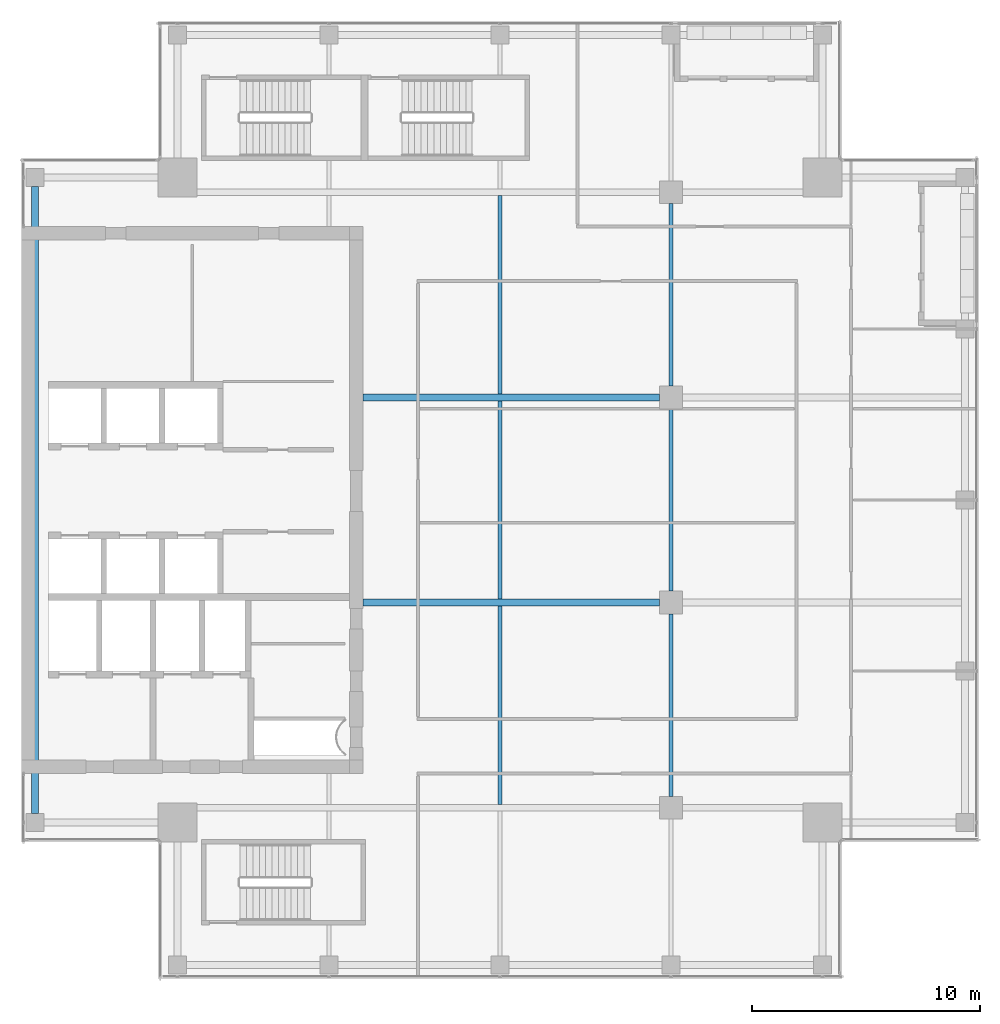
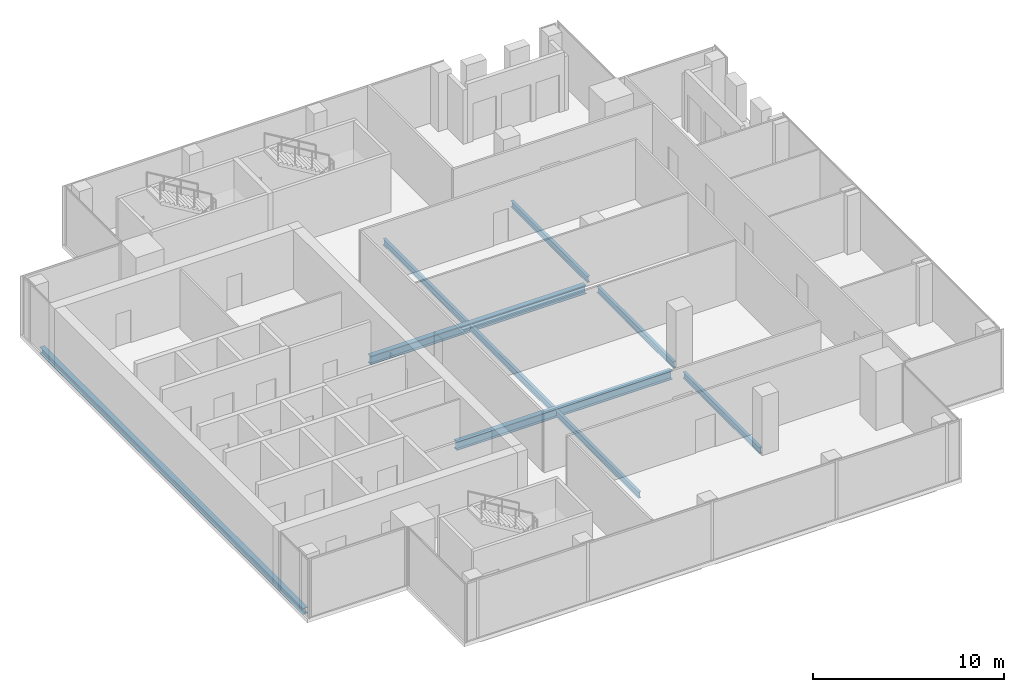
# One storey, part 8 of 29: 9 beams.
"""IFC4 building model written with IfcOpenShell, lengths in metres."""

from ifc_helpers import new_model, si_unit, direction, frame, origin, origin_2d, place, context, subcontext, project, spatial, i_section, extrude, source, transform, mapped, material, material_profile, profile_set, type_object, element, save


model = new_model("IFC4")

# Units and contexts
model_context = context("Model", 3, precision=1e-05, world=origin(), true_north=direction((0.0, 1.0)))
body_context = subcontext(model_context, "Body", "Model", "MODEL_VIEW")
ifc_project = project(units=[si_unit("LENGTHUNIT", "METRE"), si_unit("AREAUNIT", "SQUARE_METRE"), si_unit("VOLUMEUNIT", "CUBIC_METRE"), si_unit("PLANEANGLEUNIT", "RADIAN"), si_unit("MASSUNIT", "GRAM", prefix="KILO")], contexts=[model_context])

# Site, building, storey
site_placement = place(None, origin())
site = spatial("IfcSite", under=ifc_project, at=site_placement, CompositionType="ELEMENT")
building_placement = place(site_placement, origin())
building = spatial("IfcBuilding", under=site, at=building_placement, Name="Khomas Fold Tower", CompositionType="ELEMENT")
storey_placement = place(building_placement, frame((0.0, 0.0, 310.199951171875)))
storey = spatial("IfcBuildingStorey", under=building, at=storey_placement, Name="L70", CompositionType="ELEMENT", Elevation=310.199951171875)

# Beams
ifc_material_1 = material(Name="Steel S355", Category="steel")
ifc_material_profile_1 = material_profile(ifc_material_1, i_section(OverallWidth=0.179931640625, OverallDepth=0.39990234375, WebThickness=0.008544921875, FlangeThickness=0.013427734375, at=origin_2d()), Name="IPE 400")
ifc_profile_set_1 = profile_set([ifc_material_profile_1], Name="Steel S355")
beam_type_1 = type_object("IfcBeamType", Name="IPE 400 beam JB3", PredefinedType="BEAM", material=ifc_profile_set_1)
shared_shape_1 = source(origin(), body_context, "Body", "SweptSolid", [
    extrude(i_section(OverallWidth=0.179931640625, OverallDepth=0.39990234375, WebThickness=0.008544921875, FlangeThickness=0.013427734375, at=origin_2d()), origin(), (0.0, 0.0, 1.0), 8.7001953125),
])
for number, where, z_axis, x_axis, name in (
    (1, (27.0, 13.64990234375, -0.449951171875), (0.0, 1.0, 0.0), (-1.0, 0.0, 0.0), "JB3"),
    (2, (27.0, 22.64990234375, -0.449951171875), (0.0, 1.0, 0.0), (-1.0, 0.0, 0.0), "JB3"),
    (3, (27.0, 31.64990234375, -0.449951171875), (0.0, 1.0, 0.0), (-1.0, 0.0, 0.0), "JB3"),
):
    element("IfcBeam", number, at=place(storey_placement, frame(where, z_axis=z_axis, x_axis=x_axis)), inside=storey, type_object=beam_type_1, Name=name, PredefinedType="BEAM", context=body_context, shape_type="MappedRepresentation", body=[
        mapped(shared_shape_1, transform((0.0, 0.0, 0.0))),
    ])
ifc_material_2 = material(Name="Steel S355", Category="steel")
ifc_material_profile_2 = material_profile(ifc_material_2, i_section(OverallWidth=0.300048828125, OverallDepth=0.39990234375, WebThickness=0.013427734375, FlangeThickness=0.02392578125, at=origin_2d()), Name="HE 400 B")
ifc_profile_set_2 = profile_set([ifc_material_profile_2], Name="Steel S355")
beam_type_2 = type_object("IfcBeamType", Name="HE 400 B spandrel SB5", PredefinedType="SPANDREL", material=ifc_profile_set_2)
shared_shape_2 = source(origin(), body_context, "Body", "SweptSolid", [
    extrude(i_section(OverallWidth=0.300048828125, OverallDepth=0.39990234375, WebThickness=0.013427734375, FlangeThickness=0.02392578125, at=origin_2d()), origin(), (0.0, 0.0, 1.0), 27.5),
])
beam_placement = place(storey_placement, frame((6.60009765625, 13.25, -0.449951171875), z_axis=(0.0, 1.0, 0.0), x_axis=(-1.0, 0.0, 0.0)))
element("IfcBeam", 4, at=beam_placement, inside=storey, type_object=beam_type_2, Name="SB5", PredefinedType="SPANDREL", context=body_context, shape_type="MappedRepresentation", body=[
    mapped(shared_shape_2, transform((0.0, 0.0, 0.0))),
])
ifc_material_3 = material(Name="Steel S355", Category="steel")
ifc_material_profile_3 = material_profile(ifc_material_3, i_section(OverallWidth=0.300048828125, OverallDepth=0.550048828125, WebThickness=0.014892578125, FlangeThickness=0.029052734375, at=origin_2d()), Name="HE 550 B")
ifc_profile_set_3 = profile_set([ifc_material_profile_3], Name="Steel S355")
beam_type_3 = type_object("IfcBeamType", Name="HE 550 B beam GB4", PredefinedType="BEAM", material=ifc_profile_set_3)
shared_shape_3 = source(origin(), body_context, "Body", "SweptSolid", [
    extrude(i_section(OverallWidth=0.300048828125, OverallDepth=0.550048828125, WebThickness=0.014892578125, FlangeThickness=0.029052734375, at=origin_2d()), origin(), (0.0, 0.0, 1.0), 13.0),
])
for number, where, z_axis, x_axis, name in (
    (5, (21.0, 22.5, -0.52490234375), (1.0, 0.0, 0.0), (0.0, 1.0, 0.0), "GB4"),
    (6, (21.0, 31.5, -0.52490234375), (1.0, 0.0, 0.0), (0.0, 1.0, 0.0), "GB4"),
):
    element("IfcBeam", number, at=place(storey_placement, frame(where, z_axis=z_axis, x_axis=x_axis)), inside=storey, type_object=beam_type_3, Name=name, PredefinedType="BEAM", context=body_context, shape_type="MappedRepresentation", body=[
        mapped(shared_shape_3, transform((0.0, 0.0, 0.0))),
    ])
shared_shape_4 = source(origin(), body_context, "Body", "SweptSolid", [
    extrude(i_section(OverallWidth=0.179931640625, OverallDepth=0.39990234375, WebThickness=0.008544921875, FlangeThickness=0.013427734375, at=origin_2d()), origin(), (0.0, 0.0, 1.0), 8.0),
])
for number, where, z_axis, x_axis, name in (
    (7, (34.5, 14.0, -0.449951171875), (0.0, 1.0, 0.0), (-1.0, 0.0, 0.0), "JB3"),
    (8, (34.5, 23.0, -0.449951171875), (0.0, 1.0, 0.0), (-1.0, 0.0, 0.0), "JB3"),
    (9, (34.5, 32.0, -0.449951171875), (0.0, 1.0, 0.0), (-1.0, 0.0, 0.0), "JB3"),
):
    element("IfcBeam", number, at=place(storey_placement, frame(where, z_axis=z_axis, x_axis=x_axis)), inside=storey, type_object=beam_type_1, Name=name, PredefinedType="BEAM", context=body_context, shape_type="MappedRepresentation", body=[
        mapped(shared_shape_4, transform((0.0, 0.0, 0.0))),
    ])

save(model, "model.ifc")
